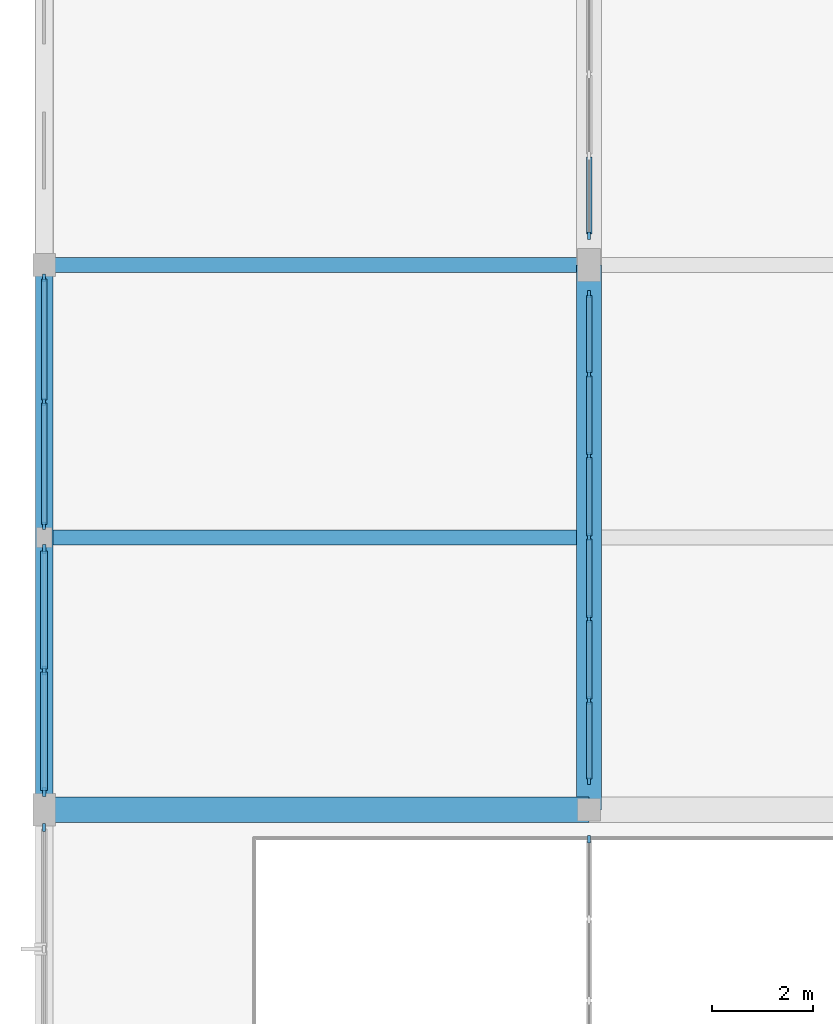
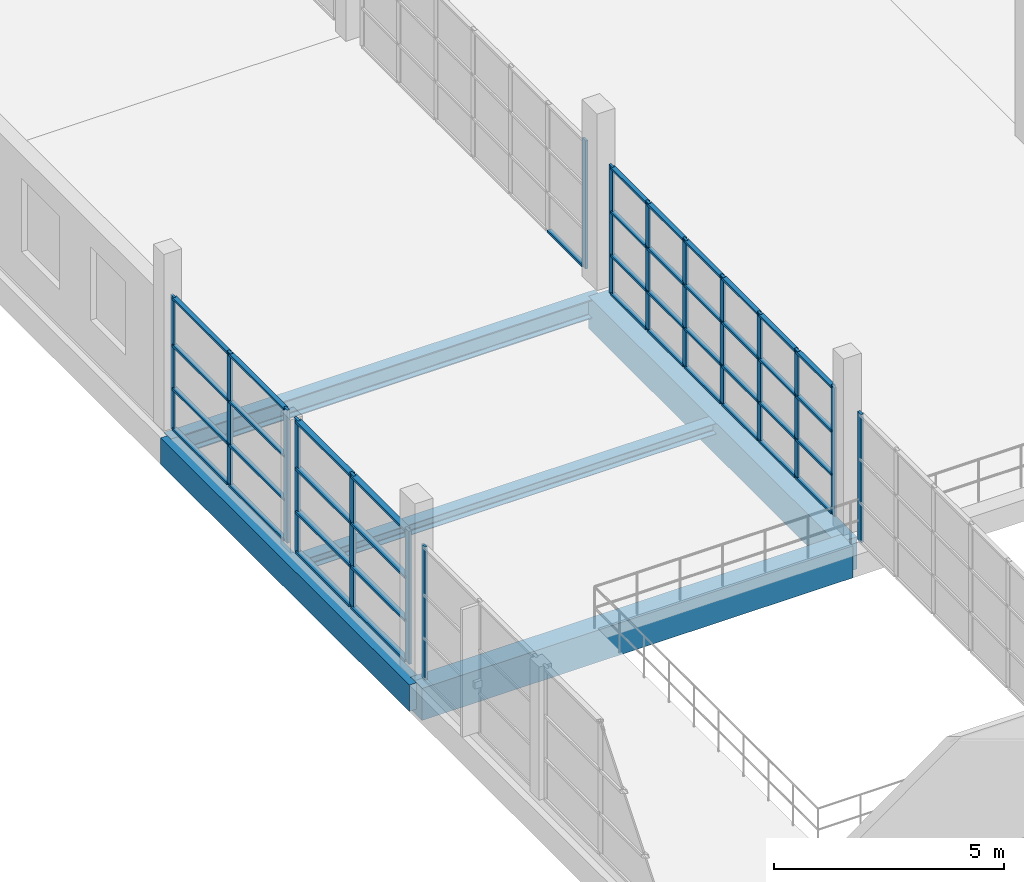
# One storey, part 14 of 142: 57 members, 5 beams, 6 elements without a shape of their own.
"""IFC4 building model written with IfcOpenShell, lengths in metres."""

from ifc_helpers import new_model, si_unit, direction, frame, origin, origin_2d, place, context, subcontext, project, spatial, rectangle, i_section, extrude, material, material_profile, profile_set, type_object, element, aggregate, save


model = new_model("IFC4")

# Units and contexts
model_context = context("Model", 3, precision=1e-05, world=origin(), true_north=direction((0.0, 1.0)))
body_context = subcontext(model_context, "Body", "Model", "MODEL_VIEW")
ifc_project = project(units=[si_unit("LENGTHUNIT", "METRE"), si_unit("AREAUNIT", "SQUARE_METRE"), si_unit("VOLUMEUNIT", "CUBIC_METRE"), si_unit("PLANEANGLEUNIT", "RADIAN"), si_unit("MASSUNIT", "GRAM", prefix="KILO")], contexts=[model_context])

# Site, building, storey
site_placement = place(None, origin())
site = spatial("IfcSite", under=ifc_project, at=site_placement, CompositionType="ELEMENT")
building_placement = place(site_placement, origin())
building = spatial("IfcBuilding", under=site, at=building_placement, Name="Zwinboog Wholesale Market", CompositionType="ELEMENT")
storey_placement = place(building_placement, frame((0.0, 0.0, 5.39990234375)))
storey = spatial("IfcBuildingStorey", under=building, at=storey_placement, Name="L01", CompositionType="ELEMENT", Elevation=5.39990234375)

# Beams
ifc_material_1 = material(Name="Precast concrete C45/55", Category="concrete")
ifc_material_profile_1 = material_profile(ifc_material_1, rectangle(XDim=0.5, YDim=0.85009765625, at=origin_2d()), Name="PC 500x850")
ifc_profile_set_1 = profile_set([ifc_material_profile_1], Name="Precast concrete C45/55")
beam_type_1 = type_object("IfcBeamType", Name="BT-03", PredefinedType="BEAM", material=ifc_profile_set_1)
for number, where, z_axis, x_axis, name in (
    (1, (0.0, 32.39990234375, -0.7568359375), (1.0, 0.0, 0.0), (0.0, 1.0, 0.0), "BG-03 (BMG-L01-0000-0324-0449)"),
    (2, (10.800048828125, 32.39990234375, -0.7568359375), (0.0, 1.0, 0.0), (-1.0, 0.0, 0.0), "BG-03 (BMG-L01-0108-0324-0615)"),
):
    element("IfcBeam", number, at=place(storey_placement, frame(where, z_axis=z_axis, x_axis=x_axis)), inside=storey, type_object=beam_type_1, Name=name, PredefinedType="BEAM", context=body_context, shape_type="SweptSolid", body=[
        extrude(rectangle(XDim=0.5, YDim=0.85009765625, at=origin_2d()), origin(), (0.0, 0.0, 1.0), 10.800048828125),
    ])
ifc_material_profile_2 = material_profile(ifc_material_1, rectangle(XDim=0.35009765625, YDim=0.699951171875, at=origin_2d()), Name="PC 350x700")
ifc_profile_set_2 = profile_set([ifc_material_profile_2], Name="Precast concrete C45/55")
beam_type_2 = type_object("IfcBeamType", Name="BT-08", PredefinedType="SPANDREL", material=ifc_profile_set_2)
beam_1_placement = place(storey_placement, frame((0.0, 32.39990234375, -0.681884765625), z_axis=(0.0, 1.0, 0.0), x_axis=(-1.0, 0.0, 0.0)))
element("IfcBeam", 3, at=beam_1_placement, inside=storey, type_object=beam_type_2, Name="SP-01 (BMG-L01-0000-0324-0604)", PredefinedType="SPANDREL", context=body_context, shape_type="SweptSolid", body=[
    extrude(rectangle(XDim=0.35009765625, YDim=0.699951171875, at=origin_2d()), origin(), (0.0, 0.0, 1.0), 10.800048828125),
])
ifc_material_2 = material(Name="Steel S355", Category="steel")
ifc_material_profile_3 = material_profile(ifc_material_2, i_section(OverallWidth=0.300048828125, OverallDepth=0.5, WebThickness=0.014404296875, FlangeThickness=0.028076171875, FilletRadius=0.027099609375, at=origin_2d()), Name="HEB 500")
ifc_profile_set_3 = profile_set([ifc_material_profile_3], Name="Steel S355")
beam_type_3 = type_object("IfcBeamType", Name="BT-14", PredefinedType="BEAM", material=ifc_profile_set_3)
beam_2_placement = place(storey_placement, frame((0.0, 43.199951171875, -0.581787109375), z_axis=(1.0, 0.0, 0.0), x_axis=(0.0, 1.0, 0.0)))
element("IfcBeam", 4, at=beam_2_placement, inside=storey, type_object=beam_type_3, Name="SB-01 (BMG-L01-0000-0432-0461)", PredefinedType="BEAM", context=body_context, shape_type="SweptSolid", body=[
    extrude(i_section(OverallWidth=0.300048828125, OverallDepth=0.5, WebThickness=0.014404296875, FlangeThickness=0.028076171875, FilletRadius=0.027099609375, at=origin_2d()), origin(), (0.0, 0.0, 1.0), 10.800048828125),
])
ifc_material_profile_4 = material_profile(ifc_material_2, i_section(OverallWidth=0.300048828125, OverallDepth=0.2900390625, WebThickness=0.008544921875, FlangeThickness=0.013916015625, FilletRadius=0.027099609375, at=origin_2d()), Name="HEA 300")
ifc_profile_set_4 = profile_set([ifc_material_profile_4], Name="Steel S355")
beam_type_4 = type_object("IfcBeamType", Name="BT-18", PredefinedType="JOIST", material=ifc_profile_set_4)
beam_3_placement = place(storey_placement, frame((0.175048828125, 37.800048828125, -0.476806640625), z_axis=(1.0, 0.0, 0.0), x_axis=(0.0, 1.0, 0.0)))
element("IfcBeam", 5, at=beam_3_placement, inside=storey, type_object=beam_type_4, Name="SJ-01 (BMG-L01-0002-0378-0779)", PredefinedType="JOIST", context=body_context, shape_type="SweptSolid", body=[
    extrude(i_section(OverallWidth=0.300048828125, OverallDepth=0.2900390625, WebThickness=0.008544921875, FlangeThickness=0.013916015625, FilletRadius=0.027099609375, at=origin_2d()), origin(), (0.0, 0.0, 1.0), 10.375),
])

# Curtain wall, members
ifc_material_3 = material(Name="Aluminium thermally broken curtain wall", Category="aluminium")
curtain_wall_type_1 = type_object("IfcCurtainWallType", Name="CWT-STALL-18", PredefinedType="USERDEFINED", material=ifc_material_3)
curtain_wall_1_placement = place(storey_placement, origin())
curtain_wall_1 = element("IfcCurtainWall", 6, at=curtain_wall_1_placement, inside=storey, type_object=curtain_wall_type_1, Name="CW-01 (CW-L01-055)", ObjectType="STOREFRONT_GLAZING", PredefinedType="USERDEFINED")
ifc_material_4 = material(Name="Aluminium EN AW-6060", Category="aluminium")
ifc_material_profile_5 = material_profile(ifc_material_4, rectangle(XDim=0.06494140625, YDim=0.179931640625, at=origin_2d()), Name="AL 65x180")
ifc_profile_set_5 = profile_set([ifc_material_profile_5], Name="Aluminium EN AW-6060")
member_type_1 = type_object("IfcMemberType", Name="CWM-65x180", PredefinedType="MULLION", material=ifc_profile_set_5)
member_1_placement = place(storey_placement, frame((0.0, 32.75244140625, 0.0), z_axis=(0.0, 0.0, 1.0), x_axis=(-1.0, 0.0, 0.0)))
member_1 = element("IfcMember", 7, at=member_1_placement, type_object=member_type_1, Name="CW-01 mullion 1", PredefinedType="MULLION", context=body_context, shape_type="SweptSolid", body=[
    extrude(rectangle(XDim=0.06494140625, YDim=0.179931640625, at=origin_2d()), origin(), (0.0, 0.0, 1.0), 3.530029296875),
])
member_2_placement = place(storey_placement, frame((0.0, 35.159912109375, 0.0), z_axis=(0.0, 0.0, 1.0), x_axis=(-1.0, 0.0, 0.0)))
member_2 = element("IfcMember", 8, at=member_2_placement, type_object=member_type_1, Name="CW-01 mullion 2", PredefinedType="MULLION", context=body_context, shape_type="SweptSolid", body=[
    extrude(rectangle(XDim=0.06494140625, YDim=0.179931640625, at=origin_2d()), origin(), (0.0, 0.0, 1.0), 3.530029296875),
])
member_3_placement = place(storey_placement, frame((0.0, 37.5673828125, 0.0), z_axis=(0.0, 0.0, 1.0), x_axis=(-1.0, 0.0, 0.0)))
member_3 = element("IfcMember", 9, at=member_3_placement, type_object=member_type_1, Name="CW-01 mullion 3", PredefinedType="MULLION", context=body_context, shape_type="SweptSolid", body=[
    extrude(rectangle(XDim=0.06494140625, YDim=0.179931640625, at=origin_2d()), origin(), (0.0, 0.0, 1.0), 3.530029296875),
])

# Curtain wall, member
curtain_wall_type_2 = type_object("IfcCurtainWallType", Name="CWT-OFF-15", PredefinedType="USERDEFINED", material=ifc_material_3)
curtain_wall_2_placement = place(storey_placement, origin())
curtain_wall_2 = element("IfcCurtainWall", 10, at=curtain_wall_2_placement, inside=storey, type_object=curtain_wall_type_2, Name="CW-06 (CW-L01-054)", ObjectType="UNITIZED_CURTAIN_WALL", PredefinedType="USERDEFINED")
ifc_material_profile_6 = material_profile(ifc_material_4, rectangle(XDim=0.06005859375, YDim=0.14990234375, at=origin_2d()), Name="AL 60x150")
ifc_profile_set_6 = profile_set([ifc_material_profile_6], Name="Aluminium EN AW-6060")
member_type_2 = type_object("IfcMemberType", Name="CWM-60x150", PredefinedType="MULLION", material=ifc_profile_set_6)
member_4_placement = place(storey_placement, frame((0.0, 32.050048828125, 0.0), z_axis=(0.0, 0.0, 1.0), x_axis=(-1.0, 0.0, 0.0)))
member_4 = element("IfcMember", 11, at=member_4_placement, type_object=member_type_2, Name="CW-06 mullion 3", PredefinedType="MULLION", context=body_context, shape_type="SweptSolid", body=[
    extrude(rectangle(XDim=0.06005859375, YDim=0.14990234375, at=origin_2d()), origin(), (0.0, 0.0, 1.0), 3.530029296875),
])
aggregate(curtain_wall_2, [member_4])

# Curtain wall, members
curtain_wall_type_3 = type_object("IfcCurtainWallType", Name="CWT-STALL-20", PredefinedType="USERDEFINED", material=ifc_material_3)
curtain_wall_3_placement = place(storey_placement, origin())
curtain_wall_3 = element("IfcCurtainWall", 12, at=curtain_wall_3_placement, inside=storey, type_object=curtain_wall_type_3, Name="CW-02 (CW-L01-056)", ObjectType="STOREFRONT_GLAZING", PredefinedType="USERDEFINED")
member_5_placement = place(storey_placement, frame((0.0, 38.030029296875, 0.0), z_axis=(0.0, 0.0, 1.0), x_axis=(-1.0, 0.0, 0.0)))
member_5 = element("IfcMember", 13, at=member_5_placement, type_object=member_type_2, Name="CW-02 mullion 1", PredefinedType="MULLION", context=body_context, shape_type="SweptSolid", body=[
    extrude(rectangle(XDim=0.06005859375, YDim=0.14990234375, at=origin_2d()), origin(), (0.0, 0.0, 1.0), 3.530029296875),
])
member_6_placement = place(storey_placement, frame((0.0, 40.489990234375, 0.0), z_axis=(0.0, 0.0, 1.0), x_axis=(-1.0, 0.0, 0.0)))
member_6 = element("IfcMember", 14, at=member_6_placement, type_object=member_type_2, Name="CW-02 mullion 2", PredefinedType="MULLION", context=body_context, shape_type="SweptSolid", body=[
    extrude(rectangle(XDim=0.06005859375, YDim=0.14990234375, at=origin_2d()), origin(), (0.0, 0.0, 1.0), 3.530029296875),
])
member_7_placement = place(storey_placement, frame((0.0, 42.949951171875, 0.0), z_axis=(0.0, 0.0, 1.0), x_axis=(-1.0, 0.0, 0.0)))
member_7 = element("IfcMember", 15, at=member_7_placement, type_object=member_type_2, Name="CW-02 mullion 3", PredefinedType="MULLION", context=body_context, shape_type="SweptSolid", body=[
    extrude(rectangle(XDim=0.06005859375, YDim=0.14990234375, at=origin_2d()), origin(), (0.0, 0.0, 1.0), 3.530029296875),
])

# Member
ifc_material_profile_7 = material_profile(ifc_material_4, rectangle(XDim=0.139892578125, YDim=0.06494140625, at=origin_2d()), Name="AL 65x140")
ifc_profile_set_7 = profile_set([ifc_material_profile_7], Name="Aluminium EN AW-6060")
member_type_3 = type_object("IfcMemberType", Name="CWT-65x140", PredefinedType="USERDEFINED", material=ifc_profile_set_7)
member_8_placement = place(storey_placement, frame((0.0, 32.784912109375, 0.03271484375), z_axis=(0.0, 1.0, 0.0), x_axis=(-1.0, 0.0, 0.0)))
member_8 = element("IfcMember", 16, at=member_8_placement, type_object=member_type_3, Name="CW-01 transom 1.1", ObjectType="TRANSOM", PredefinedType="USERDEFINED", context=body_context, shape_type="SweptSolid", body=[
    extrude(rectangle(XDim=0.139892578125, YDim=0.06494140625, at=origin_2d()), origin(), (0.0, 0.0, 1.0), 2.342529296875),
])

member_9_placement = place(storey_placement, frame((0.0, 32.784912109375, 1.10009765625), z_axis=(0.0, 1.0, 0.0), x_axis=(-1.0, 0.0, 0.0)))
member_9 = element("IfcMember", 17, at=member_9_placement, type_object=member_type_3, Name="CW-01 transom 1.2", ObjectType="TRANSOM", PredefinedType="USERDEFINED", context=body_context, shape_type="SweptSolid", body=[
    extrude(rectangle(XDim=0.139892578125, YDim=0.06494140625, at=origin_2d()), origin(), (0.0, 0.0, 1.0), 2.342529296875),
])

member_10_placement = place(storey_placement, frame((0.0, 32.784912109375, 2.25), z_axis=(0.0, 1.0, 0.0), x_axis=(-1.0, 0.0, 0.0)))
member_10 = element("IfcMember", 18, at=member_10_placement, type_object=member_type_3, Name="CW-01 transom 1.3", ObjectType="TRANSOM", PredefinedType="USERDEFINED", context=body_context, shape_type="SweptSolid", body=[
    extrude(rectangle(XDim=0.139892578125, YDim=0.06494140625, at=origin_2d()), origin(), (0.0, 0.0, 1.0), 2.342529296875),
])

member_11_placement = place(storey_placement, frame((0.0, 32.784912109375, 3.49755859375), z_axis=(0.0, 1.0, 0.0), x_axis=(-1.0, 0.0, 0.0)))
member_11 = element("IfcMember", 19, at=member_11_placement, type_object=member_type_3, Name="CW-01 transom 1.4", ObjectType="TRANSOM", PredefinedType="USERDEFINED", context=body_context, shape_type="SweptSolid", body=[
    extrude(rectangle(XDim=0.139892578125, YDim=0.06494140625, at=origin_2d()), origin(), (0.0, 0.0, 1.0), 2.342529296875),
])

member_12_placement = place(storey_placement, frame((0.0, 35.1923828125, 0.03271484375), z_axis=(0.0, 1.0, 0.0), x_axis=(-1.0, 0.0, 0.0)))
member_12 = element("IfcMember", 20, at=member_12_placement, type_object=member_type_3, Name="CW-01 transom 2.1", ObjectType="TRANSOM", PredefinedType="USERDEFINED", context=body_context, shape_type="SweptSolid", body=[
    extrude(rectangle(XDim=0.139892578125, YDim=0.06494140625, at=origin_2d()), origin(), (0.0, 0.0, 1.0), 2.342529296875),
])

member_13_placement = place(storey_placement, frame((0.0, 35.1923828125, 1.10009765625), z_axis=(0.0, 1.0, 0.0), x_axis=(-1.0, 0.0, 0.0)))
member_13 = element("IfcMember", 21, at=member_13_placement, type_object=member_type_3, Name="CW-01 transom 2.2", ObjectType="TRANSOM", PredefinedType="USERDEFINED", context=body_context, shape_type="SweptSolid", body=[
    extrude(rectangle(XDim=0.139892578125, YDim=0.06494140625, at=origin_2d()), origin(), (0.0, 0.0, 1.0), 2.342529296875),
])

member_14_placement = place(storey_placement, frame((0.0, 35.1923828125, 2.25), z_axis=(0.0, 1.0, 0.0), x_axis=(-1.0, 0.0, 0.0)))
member_14 = element("IfcMember", 22, at=member_14_placement, type_object=member_type_3, Name="CW-01 transom 2.3", ObjectType="TRANSOM", PredefinedType="USERDEFINED", context=body_context, shape_type="SweptSolid", body=[
    extrude(rectangle(XDim=0.139892578125, YDim=0.06494140625, at=origin_2d()), origin(), (0.0, 0.0, 1.0), 2.342529296875),
])

member_15_placement = place(storey_placement, frame((0.0, 35.1923828125, 3.49755859375), z_axis=(0.0, 1.0, 0.0), x_axis=(-1.0, 0.0, 0.0)))
member_15 = element("IfcMember", 23, at=member_15_placement, type_object=member_type_3, Name="CW-01 transom 2.4", ObjectType="TRANSOM", PredefinedType="USERDEFINED", context=body_context, shape_type="SweptSolid", body=[
    extrude(rectangle(XDim=0.139892578125, YDim=0.06494140625, at=origin_2d()), origin(), (0.0, 0.0, 1.0), 2.342529296875),
])

aggregate(curtain_wall_1, [member_1, member_2, member_3, member_8, member_9, member_10, member_11, member_12, member_13, member_14, member_15])

ifc_material_profile_8 = material_profile(ifc_material_4, rectangle(XDim=0.110107421875, YDim=0.06005859375, at=origin_2d()), Name="AL 60x110")
ifc_profile_set_8 = profile_set([ifc_material_profile_8], Name="Aluminium EN AW-6060")
member_type_4 = type_object("IfcMemberType", Name="CWT-60x110", PredefinedType="USERDEFINED", material=ifc_profile_set_8)
member_16_placement = place(storey_placement, frame((0.0, 38.06005859375, 0.030029296875), z_axis=(0.0, 1.0, 0.0), x_axis=(-1.0, 0.0, 0.0)))
member_16 = element("IfcMember", 24, at=member_16_placement, type_object=member_type_4, Name="CW-02 transom 1.1", ObjectType="TRANSOM", PredefinedType="USERDEFINED", context=body_context, shape_type="SweptSolid", body=[
    extrude(rectangle(XDim=0.110107421875, YDim=0.06005859375, at=origin_2d()), origin(), (0.0, 0.0, 1.0), 2.39990234375),
])

member_17_placement = place(storey_placement, frame((0.0, 38.06005859375, 1.10009765625), z_axis=(0.0, 1.0, 0.0), x_axis=(-1.0, 0.0, 0.0)))
member_17 = element("IfcMember", 25, at=member_17_placement, type_object=member_type_4, Name="CW-02 transom 1.2", ObjectType="TRANSOM", PredefinedType="USERDEFINED", context=body_context, shape_type="SweptSolid", body=[
    extrude(rectangle(XDim=0.110107421875, YDim=0.06005859375, at=origin_2d()), origin(), (0.0, 0.0, 1.0), 2.39990234375),
])

member_18_placement = place(storey_placement, frame((0.0, 38.06005859375, 2.25), z_axis=(0.0, 1.0, 0.0), x_axis=(-1.0, 0.0, 0.0)))
member_18 = element("IfcMember", 26, at=member_18_placement, type_object=member_type_4, Name="CW-02 transom 1.3", ObjectType="TRANSOM", PredefinedType="USERDEFINED", context=body_context, shape_type="SweptSolid", body=[
    extrude(rectangle(XDim=0.110107421875, YDim=0.06005859375, at=origin_2d()), origin(), (0.0, 0.0, 1.0), 2.39990234375),
])

member_19_placement = place(storey_placement, frame((0.0, 38.06005859375, 3.5), z_axis=(0.0, 1.0, 0.0), x_axis=(-1.0, 0.0, 0.0)))
member_19 = element("IfcMember", 27, at=member_19_placement, type_object=member_type_4, Name="CW-02 transom 1.4", ObjectType="TRANSOM", PredefinedType="USERDEFINED", context=body_context, shape_type="SweptSolid", body=[
    extrude(rectangle(XDim=0.110107421875, YDim=0.06005859375, at=origin_2d()), origin(), (0.0, 0.0, 1.0), 2.39990234375),
])

member_20_placement = place(storey_placement, frame((0.0, 40.52001953125, 0.030029296875), z_axis=(0.0, 1.0, 0.0), x_axis=(-1.0, 0.0, 0.0)))
member_20 = element("IfcMember", 28, at=member_20_placement, type_object=member_type_4, Name="CW-02 transom 2.1", ObjectType="TRANSOM", PredefinedType="USERDEFINED", context=body_context, shape_type="SweptSolid", body=[
    extrude(rectangle(XDim=0.110107421875, YDim=0.06005859375, at=origin_2d()), origin(), (0.0, 0.0, 1.0), 2.39990234375),
])

member_21_placement = place(storey_placement, frame((0.0, 40.52001953125, 1.10009765625), z_axis=(0.0, 1.0, 0.0), x_axis=(-1.0, 0.0, 0.0)))
member_21 = element("IfcMember", 29, at=member_21_placement, type_object=member_type_4, Name="CW-02 transom 2.2", ObjectType="TRANSOM", PredefinedType="USERDEFINED", context=body_context, shape_type="SweptSolid", body=[
    extrude(rectangle(XDim=0.110107421875, YDim=0.06005859375, at=origin_2d()), origin(), (0.0, 0.0, 1.0), 2.39990234375),
])

member_22_placement = place(storey_placement, frame((0.0, 40.52001953125, 2.25), z_axis=(0.0, 1.0, 0.0), x_axis=(-1.0, 0.0, 0.0)))
member_22 = element("IfcMember", 30, at=member_22_placement, type_object=member_type_4, Name="CW-02 transom 2.3", ObjectType="TRANSOM", PredefinedType="USERDEFINED", context=body_context, shape_type="SweptSolid", body=[
    extrude(rectangle(XDim=0.110107421875, YDim=0.06005859375, at=origin_2d()), origin(), (0.0, 0.0, 1.0), 2.39990234375),
])

member_23_placement = place(storey_placement, frame((0.0, 40.52001953125, 3.5), z_axis=(0.0, 1.0, 0.0), x_axis=(-1.0, 0.0, 0.0)))
member_23 = element("IfcMember", 31, at=member_23_placement, type_object=member_type_4, Name="CW-02 transom 2.4", ObjectType="TRANSOM", PredefinedType="USERDEFINED", context=body_context, shape_type="SweptSolid", body=[
    extrude(rectangle(XDim=0.110107421875, YDim=0.06005859375, at=origin_2d()), origin(), (0.0, 0.0, 1.0), 2.39990234375),
])

aggregate(curtain_wall_3, [member_5, member_6, member_7, member_16, member_17, member_18, member_19, member_20, member_21, member_22, member_23])

# Curtain wall, member
curtain_wall_type_4 = type_object("IfcCurtainWallType", Name="CWT-INT-STALL", PredefinedType="USERDEFINED", material=ifc_material_3)
curtain_wall_4_placement = place(storey_placement, origin())
curtain_wall_4 = element("IfcCurtainWall", 32, at=curtain_wall_4_placement, inside=storey, type_object=curtain_wall_type_4, Name="CW-07 (CW-STL-257)", ObjectType="STOREFRONT_GLAZING", PredefinedType="USERDEFINED")
ifc_material_profile_9 = material_profile(ifc_material_4, rectangle(XDim=0.06005859375, YDim=0.14990234375, at=origin_2d()), Name="AL 60x150")
ifc_profile_set_9 = profile_set([ifc_material_profile_9], Name="Aluminium EN AW-6060")
member_type_5 = type_object("IfcMemberType", Name="CWM-INT-60x120", PredefinedType="MULLION", material=ifc_profile_set_9)
member_24_placement = place(storey_placement, frame((10.800048828125, 31.820068359375, 0.0), z_axis=(0.0, 0.0, 1.0), x_axis=(-1.0, 0.0, 0.0)))
member_24 = element("IfcMember", 33, at=member_24_placement, type_object=member_type_5, Name="CW-07 mullion 7", PredefinedType="MULLION", context=body_context, shape_type="SweptSolid", body=[
    extrude(rectangle(XDim=0.06005859375, YDim=0.14990234375, at=origin_2d()), origin(), (0.0, 0.0, 1.0), 3.400146484375),
])
aggregate(curtain_wall_4, [member_24])

# Curtain wall, members
curtain_wall_5_placement = place(storey_placement, origin())
curtain_wall_5 = element("IfcCurtainWall", 34, at=curtain_wall_5_placement, inside=storey, type_object=curtain_wall_type_4, Name="CW-07 (CW-STL-258)", ObjectType="STOREFRONT_GLAZING", PredefinedType="USERDEFINED")
member_25_placement = place(storey_placement, frame((10.800048828125, 32.97998046875, 0.0), z_axis=(0.0, 0.0, 1.0), x_axis=(-1.0, 0.0, 0.0)))
member_25 = element("IfcMember", 35, at=member_25_placement, type_object=member_type_5, Name="CW-07 mullion 1", PredefinedType="MULLION", context=body_context, shape_type="SweptSolid", body=[
    extrude(rectangle(XDim=0.06005859375, YDim=0.14990234375, at=origin_2d()), origin(), (0.0, 0.0, 1.0), 3.400146484375),
])
member_26_placement = place(storey_placement, frame((10.800048828125, 34.566650390625, 0.0), z_axis=(0.0, 0.0, 1.0), x_axis=(-1.0, 0.0, 0.0)))
member_26 = element("IfcMember", 36, at=member_26_placement, type_object=member_type_5, Name="CW-07 mullion 2", PredefinedType="MULLION", context=body_context, shape_type="SweptSolid", body=[
    extrude(rectangle(XDim=0.06005859375, YDim=0.14990234375, at=origin_2d()), origin(), (0.0, 0.0, 1.0), 3.400146484375),
])
member_27_placement = place(storey_placement, frame((10.800048828125, 36.183349609375, 0.0), z_axis=(0.0, 0.0, 1.0), x_axis=(-1.0, 0.0, 0.0)))
member_27 = element("IfcMember", 37, at=member_27_placement, type_object=member_type_5, Name="CW-07 mullion 3", PredefinedType="MULLION", context=body_context, shape_type="SweptSolid", body=[
    extrude(rectangle(XDim=0.06005859375, YDim=0.14990234375, at=origin_2d()), origin(), (0.0, 0.0, 1.0), 3.400146484375),
])
member_28_placement = place(storey_placement, frame((10.800048828125, 37.800048828125, 0.0), z_axis=(0.0, 0.0, 1.0), x_axis=(-1.0, 0.0, 0.0)))
member_28 = element("IfcMember", 38, at=member_28_placement, type_object=member_type_5, Name="CW-07 mullion 4", PredefinedType="MULLION", context=body_context, shape_type="SweptSolid", body=[
    extrude(rectangle(XDim=0.06005859375, YDim=0.14990234375, at=origin_2d()), origin(), (0.0, 0.0, 1.0), 3.400146484375),
])
member_29_placement = place(storey_placement, frame((10.800048828125, 39.416748046875, 0.0), z_axis=(0.0, 0.0, 1.0), x_axis=(-1.0, 0.0, 0.0)))
member_29 = element("IfcMember", 39, at=member_29_placement, type_object=member_type_5, Name="CW-07 mullion 5", PredefinedType="MULLION", context=body_context, shape_type="SweptSolid", body=[
    extrude(rectangle(XDim=0.06005859375, YDim=0.14990234375, at=origin_2d()), origin(), (0.0, 0.0, 1.0), 3.400146484375),
])
member_30_placement = place(storey_placement, frame((10.800048828125, 41.033447265625, 0.0), z_axis=(0.0, 0.0, 1.0), x_axis=(-1.0, 0.0, 0.0)))
member_30 = element("IfcMember", 40, at=member_30_placement, type_object=member_type_5, Name="CW-07 mullion 6", PredefinedType="MULLION", context=body_context, shape_type="SweptSolid", body=[
    extrude(rectangle(XDim=0.06005859375, YDim=0.14990234375, at=origin_2d()), origin(), (0.0, 0.0, 1.0), 3.400146484375),
])
member_31_placement = place(storey_placement, frame((10.800048828125, 42.6201171875, 0.0), z_axis=(0.0, 0.0, 1.0), x_axis=(-1.0, 0.0, 0.0)))
member_31 = element("IfcMember", 41, at=member_31_placement, type_object=member_type_5, Name="CW-07 mullion 7", PredefinedType="MULLION", context=body_context, shape_type="SweptSolid", body=[
    extrude(rectangle(XDim=0.06005859375, YDim=0.14990234375, at=origin_2d()), origin(), (0.0, 0.0, 1.0), 3.400146484375),
])

# Curtain wall, member
curtain_wall_6_placement = place(storey_placement, origin())
curtain_wall_6 = element("IfcCurtainWall", 42, at=curtain_wall_6_placement, inside=storey, type_object=curtain_wall_type_4, Name="CW-07 (CW-STL-259)", ObjectType="STOREFRONT_GLAZING", PredefinedType="USERDEFINED")
member_32_placement = place(storey_placement, frame((10.800048828125, 43.780029296875, 0.0), z_axis=(0.0, 0.0, 1.0), x_axis=(-1.0, 0.0, 0.0)))
member_32 = element("IfcMember", 43, at=member_32_placement, type_object=member_type_5, Name="CW-07 mullion 1", PredefinedType="MULLION", context=body_context, shape_type="SweptSolid", body=[
    extrude(rectangle(XDim=0.06005859375, YDim=0.14990234375, at=origin_2d()), origin(), (0.0, 0.0, 1.0), 3.400146484375),
])

# Member
ifc_material_profile_10 = material_profile(ifc_material_4, rectangle(XDim=0.110107421875, YDim=0.06005859375, at=origin_2d()), Name="AL 60x110")
ifc_profile_set_10 = profile_set([ifc_material_profile_10], Name="Aluminium EN AW-6060")
member_type_6 = type_object("IfcMemberType", Name="CWT-INT-60x100", PredefinedType="USERDEFINED", material=ifc_profile_set_10)
member_33_placement = place(storey_placement, frame((10.800048828125, 33.010009765625, 0.030029296875), z_axis=(0.0, 1.0, 0.0), x_axis=(-1.0, 0.0, 0.0)))
member_33 = element("IfcMember", 44, at=member_33_placement, type_object=member_type_6, Name="CW-07 transom 1.1", ObjectType="TRANSOM", PredefinedType="USERDEFINED", context=body_context, shape_type="SweptSolid", body=[
    extrude(rectangle(XDim=0.110107421875, YDim=0.06005859375, at=origin_2d()), origin(), (0.0, 0.0, 1.0), 1.526611328125),
])

member_34_placement = place(storey_placement, frame((10.800048828125, 33.010009765625, 1.050048828125), z_axis=(0.0, 1.0, 0.0), x_axis=(-1.0, 0.0, 0.0)))
member_34 = element("IfcMember", 45, at=member_34_placement, type_object=member_type_6, Name="CW-07 transom 1.2", ObjectType="TRANSOM", PredefinedType="USERDEFINED", context=body_context, shape_type="SweptSolid", body=[
    extrude(rectangle(XDim=0.110107421875, YDim=0.06005859375, at=origin_2d()), origin(), (0.0, 0.0, 1.0), 1.526611328125),
])

member_35_placement = place(storey_placement, frame((10.800048828125, 33.010009765625, 2.2001953125), z_axis=(0.0, 1.0, 0.0), x_axis=(-1.0, 0.0, 0.0)))
member_35 = element("IfcMember", 46, at=member_35_placement, type_object=member_type_6, Name="CW-07 transom 1.3", ObjectType="TRANSOM", PredefinedType="USERDEFINED", context=body_context, shape_type="SweptSolid", body=[
    extrude(rectangle(XDim=0.110107421875, YDim=0.06005859375, at=origin_2d()), origin(), (0.0, 0.0, 1.0), 1.526611328125),
])

member_36_placement = place(storey_placement, frame((10.800048828125, 33.010009765625, 3.3701171875), z_axis=(0.0, 1.0, 0.0), x_axis=(-1.0, 0.0, 0.0)))
member_36 = element("IfcMember", 47, at=member_36_placement, type_object=member_type_6, Name="CW-07 transom 1.4", ObjectType="TRANSOM", PredefinedType="USERDEFINED", context=body_context, shape_type="SweptSolid", body=[
    extrude(rectangle(XDim=0.110107421875, YDim=0.06005859375, at=origin_2d()), origin(), (0.0, 0.0, 1.0), 1.526611328125),
])

member_37_placement = place(storey_placement, frame((10.800048828125, 34.5966796875, 0.030029296875), z_axis=(0.0, 1.0, 0.0), x_axis=(-1.0, 0.0, 0.0)))
member_37 = element("IfcMember", 48, at=member_37_placement, type_object=member_type_6, Name="CW-07 transom 2.1", ObjectType="TRANSOM", PredefinedType="USERDEFINED", context=body_context, shape_type="SweptSolid", body=[
    extrude(rectangle(XDim=0.110107421875, YDim=0.06005859375, at=origin_2d()), origin(), (0.0, 0.0, 1.0), 1.556640625),
])

member_38_placement = place(storey_placement, frame((10.800048828125, 34.5966796875, 1.050048828125), z_axis=(0.0, 1.0, 0.0), x_axis=(-1.0, 0.0, 0.0)))
member_38 = element("IfcMember", 49, at=member_38_placement, type_object=member_type_6, Name="CW-07 transom 2.2", ObjectType="TRANSOM", PredefinedType="USERDEFINED", context=body_context, shape_type="SweptSolid", body=[
    extrude(rectangle(XDim=0.110107421875, YDim=0.06005859375, at=origin_2d()), origin(), (0.0, 0.0, 1.0), 1.556640625),
])

member_39_placement = place(storey_placement, frame((10.800048828125, 34.5966796875, 2.2001953125), z_axis=(0.0, 1.0, 0.0), x_axis=(-1.0, 0.0, 0.0)))
member_39 = element("IfcMember", 50, at=member_39_placement, type_object=member_type_6, Name="CW-07 transom 2.3", ObjectType="TRANSOM", PredefinedType="USERDEFINED", context=body_context, shape_type="SweptSolid", body=[
    extrude(rectangle(XDim=0.110107421875, YDim=0.06005859375, at=origin_2d()), origin(), (0.0, 0.0, 1.0), 1.556640625),
])

member_40_placement = place(storey_placement, frame((10.800048828125, 34.5966796875, 3.3701171875), z_axis=(0.0, 1.0, 0.0), x_axis=(-1.0, 0.0, 0.0)))
member_40 = element("IfcMember", 51, at=member_40_placement, type_object=member_type_6, Name="CW-07 transom 2.4", ObjectType="TRANSOM", PredefinedType="USERDEFINED", context=body_context, shape_type="SweptSolid", body=[
    extrude(rectangle(XDim=0.110107421875, YDim=0.06005859375, at=origin_2d()), origin(), (0.0, 0.0, 1.0), 1.556640625),
])

member_41_placement = place(storey_placement, frame((10.800048828125, 36.21337890625, 0.030029296875), z_axis=(0.0, 1.0, 0.0), x_axis=(-1.0, 0.0, 0.0)))
member_41 = element("IfcMember", 52, at=member_41_placement, type_object=member_type_6, Name="CW-07 transom 3.1", ObjectType="TRANSOM", PredefinedType="USERDEFINED", context=body_context, shape_type="SweptSolid", body=[
    extrude(rectangle(XDim=0.110107421875, YDim=0.06005859375, at=origin_2d()), origin(), (0.0, 0.0, 1.0), 1.556640625),
])

member_42_placement = place(storey_placement, frame((10.800048828125, 36.21337890625, 1.050048828125), z_axis=(0.0, 1.0, 0.0), x_axis=(-1.0, 0.0, 0.0)))
member_42 = element("IfcMember", 53, at=member_42_placement, type_object=member_type_6, Name="CW-07 transom 3.2", ObjectType="TRANSOM", PredefinedType="USERDEFINED", context=body_context, shape_type="SweptSolid", body=[
    extrude(rectangle(XDim=0.110107421875, YDim=0.06005859375, at=origin_2d()), origin(), (0.0, 0.0, 1.0), 1.556640625),
])

member_43_placement = place(storey_placement, frame((10.800048828125, 36.21337890625, 2.2001953125), z_axis=(0.0, 1.0, 0.0), x_axis=(-1.0, 0.0, 0.0)))
member_43 = element("IfcMember", 54, at=member_43_placement, type_object=member_type_6, Name="CW-07 transom 3.3", ObjectType="TRANSOM", PredefinedType="USERDEFINED", context=body_context, shape_type="SweptSolid", body=[
    extrude(rectangle(XDim=0.110107421875, YDim=0.06005859375, at=origin_2d()), origin(), (0.0, 0.0, 1.0), 1.556640625),
])

member_44_placement = place(storey_placement, frame((10.800048828125, 36.21337890625, 3.3701171875), z_axis=(0.0, 1.0, 0.0), x_axis=(-1.0, 0.0, 0.0)))
member_44 = element("IfcMember", 55, at=member_44_placement, type_object=member_type_6, Name="CW-07 transom 3.4", ObjectType="TRANSOM", PredefinedType="USERDEFINED", context=body_context, shape_type="SweptSolid", body=[
    extrude(rectangle(XDim=0.110107421875, YDim=0.06005859375, at=origin_2d()), origin(), (0.0, 0.0, 1.0), 1.556640625),
])

member_45_placement = place(storey_placement, frame((10.800048828125, 37.830078125, 0.030029296875), z_axis=(0.0, 1.0, 0.0), x_axis=(-1.0, 0.0, 0.0)))
member_45 = element("IfcMember", 56, at=member_45_placement, type_object=member_type_6, Name="CW-07 transom 4.1", ObjectType="TRANSOM", PredefinedType="USERDEFINED", context=body_context, shape_type="SweptSolid", body=[
    extrude(rectangle(XDim=0.110107421875, YDim=0.06005859375, at=origin_2d()), origin(), (0.0, 0.0, 1.0), 1.556640625),
])

member_46_placement = place(storey_placement, frame((10.800048828125, 37.830078125, 1.050048828125), z_axis=(0.0, 1.0, 0.0), x_axis=(-1.0, 0.0, 0.0)))
member_46 = element("IfcMember", 57, at=member_46_placement, type_object=member_type_6, Name="CW-07 transom 4.2", ObjectType="TRANSOM", PredefinedType="USERDEFINED", context=body_context, shape_type="SweptSolid", body=[
    extrude(rectangle(XDim=0.110107421875, YDim=0.06005859375, at=origin_2d()), origin(), (0.0, 0.0, 1.0), 1.556640625),
])

member_47_placement = place(storey_placement, frame((10.800048828125, 37.830078125, 2.2001953125), z_axis=(0.0, 1.0, 0.0), x_axis=(-1.0, 0.0, 0.0)))
member_47 = element("IfcMember", 58, at=member_47_placement, type_object=member_type_6, Name="CW-07 transom 4.3", ObjectType="TRANSOM", PredefinedType="USERDEFINED", context=body_context, shape_type="SweptSolid", body=[
    extrude(rectangle(XDim=0.110107421875, YDim=0.06005859375, at=origin_2d()), origin(), (0.0, 0.0, 1.0), 1.556640625),
])

member_48_placement = place(storey_placement, frame((10.800048828125, 37.830078125, 3.3701171875), z_axis=(0.0, 1.0, 0.0), x_axis=(-1.0, 0.0, 0.0)))
member_48 = element("IfcMember", 59, at=member_48_placement, type_object=member_type_6, Name="CW-07 transom 4.4", ObjectType="TRANSOM", PredefinedType="USERDEFINED", context=body_context, shape_type="SweptSolid", body=[
    extrude(rectangle(XDim=0.110107421875, YDim=0.06005859375, at=origin_2d()), origin(), (0.0, 0.0, 1.0), 1.556640625),
])

member_49_placement = place(storey_placement, frame((10.800048828125, 39.44677734375, 0.030029296875), z_axis=(0.0, 1.0, 0.0), x_axis=(-1.0, 0.0, 0.0)))
member_49 = element("IfcMember", 60, at=member_49_placement, type_object=member_type_6, Name="CW-07 transom 5.1", ObjectType="TRANSOM", PredefinedType="USERDEFINED", context=body_context, shape_type="SweptSolid", body=[
    extrude(rectangle(XDim=0.110107421875, YDim=0.06005859375, at=origin_2d()), origin(), (0.0, 0.0, 1.0), 1.556640625),
])

member_50_placement = place(storey_placement, frame((10.800048828125, 39.44677734375, 1.050048828125), z_axis=(0.0, 1.0, 0.0), x_axis=(-1.0, 0.0, 0.0)))
member_50 = element("IfcMember", 61, at=member_50_placement, type_object=member_type_6, Name="CW-07 transom 5.2", ObjectType="TRANSOM", PredefinedType="USERDEFINED", context=body_context, shape_type="SweptSolid", body=[
    extrude(rectangle(XDim=0.110107421875, YDim=0.06005859375, at=origin_2d()), origin(), (0.0, 0.0, 1.0), 1.556640625),
])

member_51_placement = place(storey_placement, frame((10.800048828125, 39.44677734375, 2.2001953125), z_axis=(0.0, 1.0, 0.0), x_axis=(-1.0, 0.0, 0.0)))
member_51 = element("IfcMember", 62, at=member_51_placement, type_object=member_type_6, Name="CW-07 transom 5.3", ObjectType="TRANSOM", PredefinedType="USERDEFINED", context=body_context, shape_type="SweptSolid", body=[
    extrude(rectangle(XDim=0.110107421875, YDim=0.06005859375, at=origin_2d()), origin(), (0.0, 0.0, 1.0), 1.556640625),
])

member_52_placement = place(storey_placement, frame((10.800048828125, 39.44677734375, 3.3701171875), z_axis=(0.0, 1.0, 0.0), x_axis=(-1.0, 0.0, 0.0)))
member_52 = element("IfcMember", 63, at=member_52_placement, type_object=member_type_6, Name="CW-07 transom 5.4", ObjectType="TRANSOM", PredefinedType="USERDEFINED", context=body_context, shape_type="SweptSolid", body=[
    extrude(rectangle(XDim=0.110107421875, YDim=0.06005859375, at=origin_2d()), origin(), (0.0, 0.0, 1.0), 1.556640625),
])

member_53_placement = place(storey_placement, frame((10.800048828125, 41.063232421875, 0.030029296875), z_axis=(0.0, 1.0, 0.0), x_axis=(-1.0, 0.0, 0.0)))
member_53 = element("IfcMember", 64, at=member_53_placement, type_object=member_type_6, Name="CW-07 transom 6.1", ObjectType="TRANSOM", PredefinedType="USERDEFINED", context=body_context, shape_type="SweptSolid", body=[
    extrude(rectangle(XDim=0.110107421875, YDim=0.06005859375, at=origin_2d()), origin(), (0.0, 0.0, 1.0), 1.52685546875),
])

member_54_placement = place(storey_placement, frame((10.800048828125, 41.063232421875, 1.050048828125), z_axis=(0.0, 1.0, 0.0), x_axis=(-1.0, 0.0, 0.0)))
member_54 = element("IfcMember", 65, at=member_54_placement, type_object=member_type_6, Name="CW-07 transom 6.2", ObjectType="TRANSOM", PredefinedType="USERDEFINED", context=body_context, shape_type="SweptSolid", body=[
    extrude(rectangle(XDim=0.110107421875, YDim=0.06005859375, at=origin_2d()), origin(), (0.0, 0.0, 1.0), 1.52685546875),
])

member_55_placement = place(storey_placement, frame((10.800048828125, 41.063232421875, 2.2001953125), z_axis=(0.0, 1.0, 0.0), x_axis=(-1.0, 0.0, 0.0)))
member_55 = element("IfcMember", 66, at=member_55_placement, type_object=member_type_6, Name="CW-07 transom 6.3", ObjectType="TRANSOM", PredefinedType="USERDEFINED", context=body_context, shape_type="SweptSolid", body=[
    extrude(rectangle(XDim=0.110107421875, YDim=0.06005859375, at=origin_2d()), origin(), (0.0, 0.0, 1.0), 1.52685546875),
])

member_56_placement = place(storey_placement, frame((10.800048828125, 41.063232421875, 3.3701171875), z_axis=(0.0, 1.0, 0.0), x_axis=(-1.0, 0.0, 0.0)))
member_56 = element("IfcMember", 67, at=member_56_placement, type_object=member_type_6, Name="CW-07 transom 6.4", ObjectType="TRANSOM", PredefinedType="USERDEFINED", context=body_context, shape_type="SweptSolid", body=[
    extrude(rectangle(XDim=0.110107421875, YDim=0.06005859375, at=origin_2d()), origin(), (0.0, 0.0, 1.0), 1.52685546875),
])

aggregate(curtain_wall_5, [member_25, member_26, member_27, member_28, member_29, member_30, member_31, member_33, member_34, member_35, member_36, member_37, member_38, member_39, member_40, member_41, member_42, member_43, member_44, member_45, member_46, member_47, member_48, member_49, member_50, member_51, member_52, member_53, member_54, member_55, member_56])

member_57_placement = place(storey_placement, frame((10.800048828125, 43.81005859375, 0.030029296875), z_axis=(0.0, 1.0, 0.0), x_axis=(-1.0, 0.0, 0.0)))
member_57 = element("IfcMember", 68, at=member_57_placement, type_object=member_type_6, Name="CW-07 transom 1.1", ObjectType="TRANSOM", PredefinedType="USERDEFINED", context=body_context, shape_type="SweptSolid", body=[
    extrude(rectangle(XDim=0.110107421875, YDim=0.06005859375, at=origin_2d()), origin(), (0.0, 0.0, 1.0), 1.526611328125),
])

aggregate(curtain_wall_6, [member_32, member_57])

save(model, "model.ifc")
